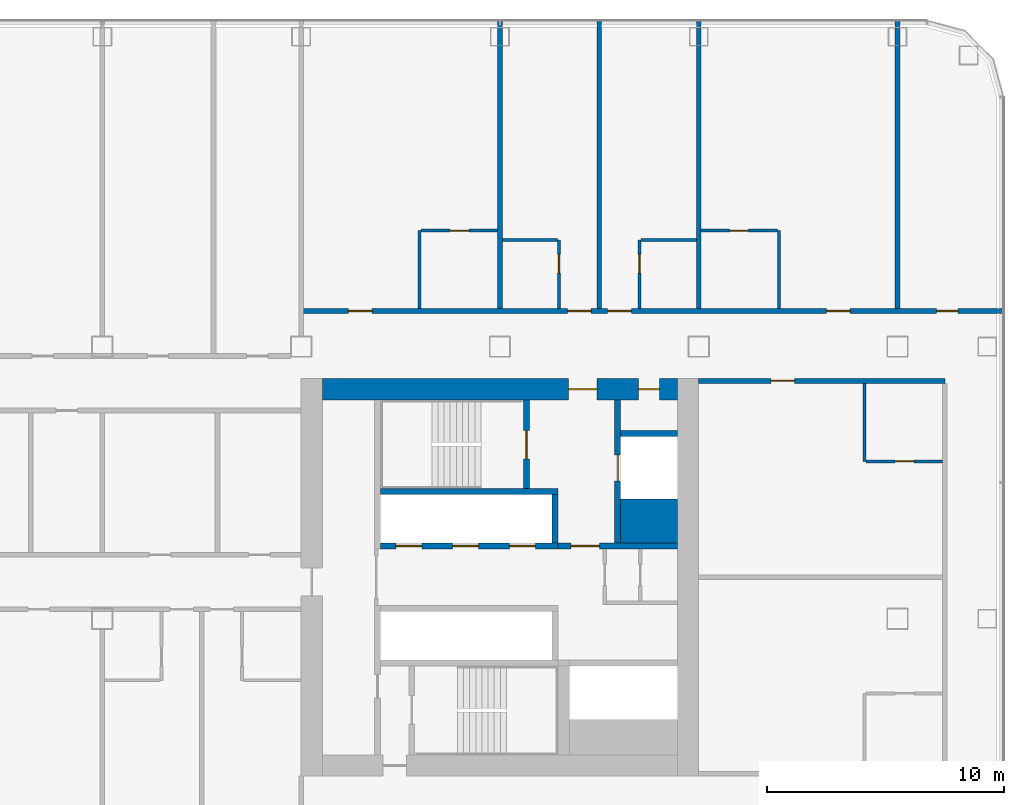
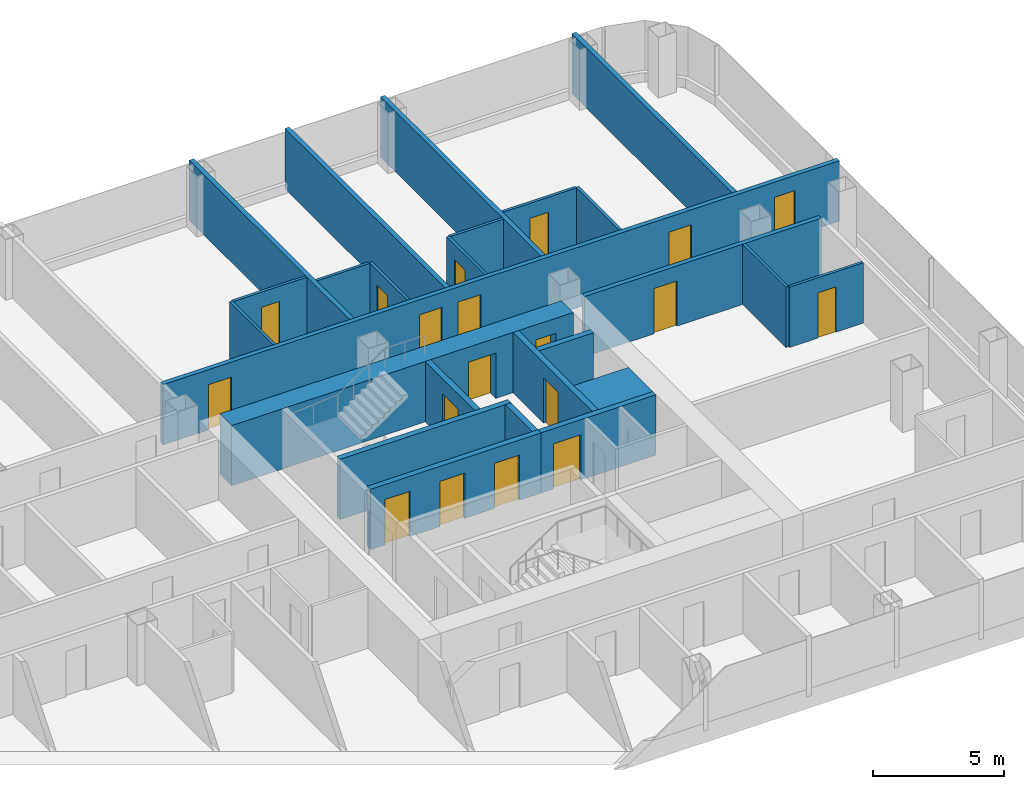
# One storey, part 20 of 29: 25 walls, 19 doors, 19 openings.
"""IFC4 building model written with IfcOpenShell, lengths in metres."""

from ifc_helpers import new_model, si_unit, direction, frame, frame_2d, origin, place, context, subcontext, project, spatial, rectangle, extrude, material, layer, layer_set, type_object, element, fill, save


model = new_model("IFC4")

# Units and contexts
model_context = context("Model", 3, precision=1e-05, world=origin(), true_north=direction((0.0, 1.0)))
body_context = subcontext(model_context, "Body", "Model", "MODEL_VIEW")
ifc_project = project(units=[si_unit("LENGTHUNIT", "METRE"), si_unit("AREAUNIT", "SQUARE_METRE"), si_unit("VOLUMEUNIT", "CUBIC_METRE"), si_unit("PLANEANGLEUNIT", "RADIAN"), si_unit("MASSUNIT", "GRAM", prefix="KILO")], contexts=[model_context])

# Site, building, storey
site_placement = place(None, origin())
site = spatial("IfcSite", under=ifc_project, at=site_placement, CompositionType="ELEMENT")
building_placement = place(site_placement, origin())
building = spatial("IfcBuilding", under=site, at=building_placement, Name="Hakoniwa Tower and Hamabe Station Hall", CompositionType="ELEMENT")
storey_placement = place(building_placement, frame((0.0, 0.0, 97.800048828125)))
storey = spatial("IfcBuildingStorey", under=building, at=storey_placement, Name="L27", CompositionType="ELEMENT", Elevation=97.800048828125)

# Wall, opening, door
ifc_material_1 = material(Name="Gypsum board partition", Category="gypsum")
ifc_layer_1 = layer(ifc_material_1, 0.125)
ifc_layer_set_1 = layer_set([ifc_layer_1], Name="Bathroom Partition 125")
wall_type_1 = type_object("IfcWallType", Name="Bathroom Partition 125", PredefinedType="PARTITIONING", material=ifc_layer_set_1)
wall_1_placement = place(storey_placement, frame((40.66259765625, 4.89990234375, 0.0), z_axis=(0.0, 0.0, 1.0), x_axis=(1.0, 0.0, 0.0)))
wall_1 = element("IfcWall", 1, at=wall_1_placement, inside=storey, type_object=wall_type_1, Name="GW-L27-017", PredefinedType="PARTITIONING", context=body_context, shape_type="SweptSolid", body=[
    extrude(rectangle(XDim=3.2373046875, YDim=0.125, at=frame_2d((1.61865234375, 0.0))), origin(), (0.0, 0.0, 1.0), 2.800048828125),
])
opening_1_placement = place(wall_1_placement, frame((1.237548828125, 0.0, 0.0)))
opening_1 = element("IfcOpeningElement", 2, at=opening_1_placement, cuts=wall_1, Name="Opening GD-G2C1-32", PredefinedType="OPENING", context=body_context, shape_type="SweptSolid", body=[
    extrude(rectangle(XDim=0.800048828125, YDim=2.10009765625, at=frame_2d((0.39990234375, 1.050048828125))), frame((0.0, 0.072509765625, 0.0), z_axis=(0.0, -1.0, 0.0), x_axis=(1.0, 0.0, 0.0)), (0.0, 0.0, 1.0), 0.14501953125),
])
ifc_material_2 = material(Name="Timber door leaf", Category="wood")
door_type_1 = type_object("IfcDoorType", Name="Bathroom Door 800", OperationType="SINGLE_SWING_LEFT", PredefinedType="DOOR", material=ifc_material_2)
door_1_placement = place(opening_1_placement, origin())
door_1 = element("IfcDoor", 3, at=door_1_placement, inside=storey, type_object=door_type_1, Name="Door GD-G2C1-32", OperationType="SINGLE_SWING_RIGHT", OverallHeight=2.10009765625, OverallWidth=0.800048828125, PredefinedType="DOOR", context=body_context, shape_type="SweptSolid", body=[
    extrude(rectangle(XDim=0.800048828125, YDim=2.10009765625, at=frame_2d((0.39990234375, 1.050048828125))), frame((0.0, 0.02490234375, 0.0), z_axis=(0.0, -1.0, 0.0), x_axis=(1.0, 0.0, 0.0)), (0.0, 0.0, 1.0), 0.050048828125),
])
fill(opening_1, door_1)

# Walls
for number, where, z_axis, x_axis, name in (
    (4, (25.300048828125, 14.25, 0.0), (0.0, 0.0, 1.0), (1.0, 0.0, 0.0), "GW-L27-031"),
    (5, (31.16259765625, 14.25, 0.0), (0.0, 0.0, 1.0), (1.0, 0.0, 0.0), "GW-L27-032"),
):
    element("IfcWall", number, at=place(storey_placement, frame(where, z_axis=z_axis, x_axis=x_axis)), inside=storey, type_object=wall_type_1, Name=name, PredefinedType="PARTITIONING", context=body_context, shape_type="SweptSolid", body=[
        extrude(rectangle(XDim=2.33740234375, YDim=0.125, at=frame_2d((1.168701171875, 0.0))), origin(), (0.0, 0.0, 1.0), 2.800048828125),
    ])

# Wall, opening, door
wall_2_placement = place(storey_placement, frame((21.862548828125, 14.64990234375, 0.0), z_axis=(0.0, 0.0, 1.0), x_axis=(1.0, 0.0, 0.0)))
wall_2 = element("IfcWall", 6, at=wall_2_placement, inside=storey, type_object=wall_type_1, Name="GW-L27-034", PredefinedType="PARTITIONING", context=body_context, shape_type="SweptSolid", body=[
    extrude(rectangle(XDim=3.237548828125, YDim=0.125, at=frame_2d((1.61865234375, 0.0))), origin(), (0.0, 0.0, 1.0), 2.800048828125),
])
opening_2_placement = place(wall_2_placement, frame((1.237548828125, 0.0, 0.0)))
opening_2 = element("IfcOpeningElement", 7, at=opening_2_placement, cuts=wall_2, Name="Opening GD-G2C1-59", PredefinedType="OPENING", context=body_context, shape_type="SweptSolid", body=[
    extrude(rectangle(XDim=0.800048828125, YDim=2.10009765625, at=frame_2d((0.39990234375, 1.050048828125))), frame((0.0, 0.072509765625, 0.0), z_axis=(0.0, -1.0, 0.0), x_axis=(1.0, 0.0, 0.0)), (0.0, 0.0, 1.0), 0.14501953125),
])
door_2_placement = place(opening_2_placement, origin())
door_2 = element("IfcDoor", 8, at=door_2_placement, inside=storey, type_object=door_type_1, Name="Door GD-G2C1-59", OperationType="SINGLE_SWING_RIGHT", OverallHeight=2.10009765625, OverallWidth=0.800048828125, PredefinedType="DOOR", context=body_context, shape_type="SweptSolid", body=[
    extrude(rectangle(XDim=0.800048828125, YDim=2.10009765625, at=frame_2d((0.39990234375, 1.050048828125))), frame((0.0, 0.02490234375, 0.0), z_axis=(0.0, -1.0, 0.0), x_axis=(1.0, 0.0, 0.0)), (0.0, 0.0, 1.0), 0.050048828125),
])
fill(opening_2, door_2)

wall_3_placement = place(storey_placement, frame((33.699951171875, 14.64990234375, 0.0), z_axis=(0.0, 0.0, 1.0), x_axis=(1.0, 0.0, 0.0)))
wall_3 = element("IfcWall", 9, at=wall_3_placement, inside=storey, type_object=wall_type_1, Name="GW-L27-035", PredefinedType="PARTITIONING", context=body_context, shape_type="SweptSolid", body=[
    extrude(rectangle(XDim=3.237548828125, YDim=0.125, at=frame_2d((1.61865234375, 0.0))), origin(), (0.0, 0.0, 1.0), 2.800048828125),
])
opening_3_placement = place(wall_3_placement, frame((1.199951171875, 0.0, 0.0)))
opening_3 = element("IfcOpeningElement", 10, at=opening_3_placement, cuts=wall_3, Name="Opening GD-G2C1-60", PredefinedType="OPENING", context=body_context, shape_type="SweptSolid", body=[
    extrude(rectangle(XDim=0.800048828125, YDim=2.10009765625, at=frame_2d((0.39990234375, 1.050048828125))), frame((0.0, 0.072509765625, 0.0), z_axis=(0.0, -1.0, 0.0), x_axis=(1.0, 0.0, 0.0)), (0.0, 0.0, 1.0), 0.14501953125),
])
door_3_placement = place(opening_3_placement, origin())
door_3 = element("IfcDoor", 11, at=door_3_placement, inside=storey, type_object=door_type_1, Name="Door GD-G2C1-60", OperationType="SINGLE_SWING_RIGHT", OverallHeight=2.10009765625, OverallWidth=0.800048828125, PredefinedType="DOOR", context=body_context, shape_type="SweptSolid", body=[
    extrude(rectangle(XDim=0.800048828125, YDim=2.10009765625, at=frame_2d((0.39990234375, 1.050048828125))), frame((0.0, 0.02490234375, 0.0), z_axis=(0.0, -1.0, 0.0), x_axis=(1.0, 0.0, 0.0)), (0.0, 0.0, 1.0), 0.050048828125),
])
fill(opening_3, door_3)

# Wall
wall_4_placement = place(storey_placement, frame((21.800048828125, 11.35009765625, 0.0), z_axis=(0.0, 0.0, 1.0), x_axis=(0.0, 1.0, 0.0)))
element("IfcWall", 12, at=wall_4_placement, inside=storey, type_object=wall_type_1, Name="GW-L27-087", PredefinedType="PARTITIONING", context=body_context, shape_type="SweptSolid", body=[
    extrude(rectangle(XDim=3.2998046875, YDim=0.125, at=frame_2d((1.64990234375, 0.0))), origin(), (0.0, 0.0, 1.0), 2.800048828125),
])

# Wall, opening, door
wall_5_placement = place(storey_placement, frame((27.699951171875, 11.35009765625, 0.0), z_axis=(0.0, 0.0, 1.0), x_axis=(0.0, 1.0, 0.0)))
wall_5 = element("IfcWall", 13, at=wall_5_placement, inside=storey, type_object=wall_type_1, Name="GW-L27-091", PredefinedType="PARTITIONING", context=body_context, shape_type="SweptSolid", body=[
    extrude(rectangle(XDim=2.89990234375, YDim=0.125, at=frame_2d((1.449951171875, 0.0))), origin(), (0.0, 0.0, 1.0), 2.800048828125),
])
opening_4_placement = place(wall_5_placement, frame((1.5, 0.0, 0.0)))
opening_4 = element("IfcOpeningElement", 14, at=opening_4_placement, cuts=wall_5, Name="Opening GD-G2C1-72", PredefinedType="OPENING", context=body_context, shape_type="SweptSolid", body=[
    extrude(rectangle(XDim=0.800048828125, YDim=2.10009765625, at=frame_2d((0.39990234375, 1.050048828125))), frame((0.0, 0.072509765625, 0.0), z_axis=(0.0, -1.0, 0.0), x_axis=(1.0, 0.0, 0.0)), (0.0, 0.0, 1.0), 0.14501953125),
])
door_4_placement = place(opening_4_placement, origin())
door_4 = element("IfcDoor", 15, at=door_4_placement, inside=storey, type_object=door_type_1, Name="Door GD-G2C1-72", OperationType="SINGLE_SWING_LEFT", OverallHeight=2.10009765625, OverallWidth=0.800048828125, PredefinedType="DOOR", context=body_context, shape_type="SweptSolid", body=[
    extrude(rectangle(XDim=0.800048828125, YDim=2.10009765625, at=frame_2d((0.39990234375, 1.050048828125))), frame((0.0, 0.02490234375, 0.0), z_axis=(0.0, -1.0, 0.0), x_axis=(1.0, 0.0, 0.0)), (0.0, 0.0, 1.0), 0.050048828125),
])
fill(opening_4, door_4)

wall_6_placement = place(storey_placement, frame((31.10009765625, 11.35009765625, 0.0), z_axis=(0.0, 0.0, 1.0), x_axis=(0.0, 1.0, 0.0)))
wall_6 = element("IfcWall", 16, at=wall_6_placement, inside=storey, type_object=wall_type_1, Name="GW-L27-094", PredefinedType="PARTITIONING", context=body_context, shape_type="SweptSolid", body=[
    extrude(rectangle(XDim=2.89990234375, YDim=0.125, at=frame_2d((1.449951171875, 0.0))), origin(), (0.0, 0.0, 1.0), 2.800048828125),
])
opening_5_placement = place(wall_6_placement, frame((1.5, 0.0, 0.0)))
opening_5 = element("IfcOpeningElement", 17, at=opening_5_placement, cuts=wall_6, Name="Opening GD-G2C1-73", PredefinedType="OPENING", context=body_context, shape_type="SweptSolid", body=[
    extrude(rectangle(XDim=0.800048828125, YDim=2.10009765625, at=frame_2d((0.39990234375, 1.050048828125))), frame((0.0, 0.072509765625, 0.0), z_axis=(0.0, -1.0, 0.0), x_axis=(1.0, 0.0, 0.0)), (0.0, 0.0, 1.0), 0.14501953125),
])
door_5_placement = place(opening_5_placement, origin())
door_5 = element("IfcDoor", 18, at=door_5_placement, inside=storey, type_object=door_type_1, Name="Door GD-G2C1-73", OperationType="SINGLE_SWING_RIGHT", OverallHeight=2.10009765625, OverallWidth=0.800048828125, PredefinedType="DOOR", context=body_context, shape_type="SweptSolid", body=[
    extrude(rectangle(XDim=0.800048828125, YDim=2.10009765625, at=frame_2d((0.39990234375, 1.050048828125))), frame((0.0, 0.02490234375, 0.0), z_axis=(0.0, -1.0, 0.0), x_axis=(1.0, 0.0, 0.0)), (0.0, 0.0, 1.0), 0.050048828125),
])
fill(opening_5, door_5)

# Walls
wall_7_placement = place(storey_placement, frame((37.0, 11.35009765625, 0.0), z_axis=(0.0, 0.0, 1.0), x_axis=(0.0, 1.0, 0.0)))
element("IfcWall", 19, at=wall_7_placement, inside=storey, type_object=wall_type_1, Name="GW-L27-097", PredefinedType="PARTITIONING", context=body_context, shape_type="SweptSolid", body=[
    extrude(rectangle(XDim=3.2998046875, YDim=0.125, at=frame_2d((1.64990234375, 0.0))), origin(), (0.0, 0.0, 1.0), 2.800048828125),
])
wall_8_placement = place(storey_placement, frame((40.60009765625, 4.89990234375, 0.0), z_axis=(0.0, 0.0, 1.0), x_axis=(0.0, 1.0, 0.0)))
element("IfcWall", 20, at=wall_8_placement, inside=storey, type_object=wall_type_1, Name="GW-L27-100", PredefinedType="PARTITIONING", context=body_context, shape_type="SweptSolid", body=[
    extrude(rectangle(XDim=3.300048828125, YDim=0.125, at=frame_2d((1.64990234375, 0.0))), origin(), (0.0, 0.0, 1.0), 2.800048828125),
])

# Wall, openings, doors
ifc_material_3 = material(Name="Concrete C72", Category="concrete")
ifc_layer_2 = layer(ifc_material_3, 0.89990234375)
ifc_layer_set_2 = layer_set([ifc_layer_2], Name="CORE WALL 900 C72")
wall_type_2 = type_object("IfcWallType", Name="CORE WALL 900 C72", PredefinedType="SHEAR", material=ifc_layer_set_2)
wall_9_placement = place(storey_placement, frame((17.699951171875, 7.949951171875, 0.0), z_axis=(0.0, 0.0, 1.0), x_axis=(1.0, 0.0, 0.0)))
wall_9 = element("IfcWall", 21, at=wall_9_placement, inside=storey, type_object=wall_type_2, Name="Core wall NORTH east", PredefinedType="SHEAR", context=body_context, shape_type="SweptSolid", body=[
    extrude(rectangle(XDim=15.0, YDim=0.89990234375, at=frame_2d((7.5, 0.0))), origin(), (0.0, 0.0, 1.0), 2.800048828125),
])
opening_6_placement = place(wall_9_placement, frame((10.39990234375, 0.0, 0.0)))
opening_6 = element("IfcOpeningElement", 22, at=opening_6_placement, cuts=wall_9, Name="Opening CD-E-FN1-12", PredefinedType="OPENING", context=body_context, shape_type="SweptSolid", body=[
    extrude(rectangle(XDim=1.199951171875, YDim=2.10009765625, at=frame_2d((0.60009765625, 1.050048828125))), frame((0.0, 0.4599609375, 0.0), z_axis=(0.0, -1.0, 0.0), x_axis=(1.0, 0.0, 0.0)), (0.0, 0.0, 1.0), 0.919921875),
])
opening_7_placement = place(wall_9_placement, frame((13.35009765625, 0.0, 0.0)))
opening_7 = element("IfcOpeningElement", 23, at=opening_7_placement, cuts=wall_9, Name="Opening CD-E-FN2-9", PredefinedType="OPENING", context=body_context, shape_type="SweptSolid", body=[
    extrude(rectangle(XDim=0.89990234375, YDim=2.10009765625, at=frame_2d((0.449951171875, 1.050048828125))), frame((0.0, 0.4599609375, 0.0), z_axis=(0.0, -1.0, 0.0), x_axis=(1.0, 0.0, 0.0)), (0.0, 0.0, 1.0), 0.919921875),
])
ifc_material_4 = material(Name="Steel fire door", Category="steel")
door_type_2 = type_object("IfcDoorType", Name="CORE DOOR 1200 FD60", OperationType="DOUBLE_DOOR_SINGLE_SWING", PredefinedType="DOOR", material=ifc_material_4)
door_6_placement = place(opening_6_placement, origin())
door_6 = element("IfcDoor", 24, at=door_6_placement, inside=storey, type_object=door_type_2, Name="Stair vestibule door to the fire-fighting lobby", OperationType="DOUBLE_DOOR_SINGLE_SWING", OverallHeight=2.10009765625, OverallWidth=1.199951171875, PredefinedType="DOOR", context=body_context, shape_type="SweptSolid", body=[
    extrude(rectangle(XDim=1.199951171875, YDim=2.10009765625, at=frame_2d((0.60009765625, 1.050048828125))), frame((0.0, 0.02490234375, 0.0), z_axis=(0.0, -1.0, 0.0), x_axis=(1.0, 0.0, 0.0)), (0.0, 0.0, 1.0), 0.050048828125),
])
fill(opening_6, door_6)
ifc_material_5 = material(Name="Steel fire door", Category="steel")
door_type_3 = type_object("IfcDoorType", Name="CORE DOOR 900 FD30", OperationType="NOTDEFINED", PredefinedType="DOOR", material=ifc_material_5)
door_7_placement = place(opening_7_placement, origin())
door_7 = element("IfcDoor", 25, at=door_7_placement, inside=storey, type_object=door_type_3, Name="Riser access door", OperationType="SINGLE_SWING_RIGHT", OverallHeight=2.10009765625, OverallWidth=0.89990234375, PredefinedType="DOOR", context=body_context, shape_type="SweptSolid", body=[
    extrude(rectangle(XDim=0.89990234375, YDim=2.10009765625, at=frame_2d((0.449951171875, 1.050048828125))), frame((0.0, 0.02490234375, 0.0), z_axis=(0.0, -1.0, 0.0), x_axis=(1.0, 0.0, 0.0)), (0.0, 0.0, 1.0), 0.050048828125),
])
fill(opening_7, door_7)

# Wall
ifc_material_6 = material(Name="Concrete C72", Category="concrete")
ifc_layer_3 = layer(ifc_material_6, 1.85009765625)
ifc_layer_set_3 = layer_set([ifc_layer_3], Name="CORE WEB WALL 1850 C72")
wall_type_3 = type_object("IfcWallType", Name="CORE WEB WALL 1850 C72", PredefinedType="SHEAR", material=ifc_layer_set_3)
wall_10_placement = place(storey_placement, frame((30.300048828125, 2.375, 0.0), z_axis=(0.0, 0.0, 1.0), x_axis=(1.0, 0.0, 0.0)))
element("IfcWall", 26, at=wall_10_placement, inside=storey, type_object=wall_type_3, Name="Core wall CA east", PredefinedType="SHEAR", context=body_context, shape_type="SweptSolid", body=[
    extrude(rectangle(XDim=2.39990234375, YDim=1.85009765625, at=frame_2d((1.199951171875, 0.0))), origin(), (0.0, 0.0, 1.0), 2.800048828125),
])

# Wall, openings, doors
ifc_material_7 = material(Name="Concrete C72", Category="concrete")
ifc_layer_4 = layer(ifc_material_7, 0.25)
ifc_layer_set_4 = layer_set([ifc_layer_4], Name="CORE WEB WALL 250 C72")
wall_type_4 = type_object("IfcWallType", Name="CORE WEB WALL 250 C72", PredefinedType="SHEAR", material=ifc_layer_set_4)
wall_11_placement = place(storey_placement, frame((20.14990234375, 1.324951171875, 0.0), z_axis=(0.0, 0.0, 1.0), x_axis=(1.0, 0.0, 0.0)))
wall_11 = element("IfcWall", 27, at=wall_11_placement, inside=storey, type_object=wall_type_4, Name="Core wall NF east", PredefinedType="SHEAR", context=body_context, shape_type="SweptSolid", body=[
    extrude(rectangle(XDim=7.5, YDim=0.25, at=frame_2d((3.75, 0.0))), origin(), (0.0, 0.0, 1.0), 2.800048828125),
])
opening_8_placement = place(wall_11_placement, frame((0.64990234375, 0.0, 0.0)))
opening_8 = element("IfcOpeningElement", 28, at=opening_8_placement, cuts=wall_11, Name="Opening LD-LR4", PredefinedType="OPENING", context=body_context, shape_type="SweptSolid", body=[
    extrude(rectangle(XDim=1.10009765625, YDim=2.10009765625, at=frame_2d((0.550048828125, 1.050048828125))), frame((0.0, 0.135009765625, 0.0), z_axis=(0.0, -1.0, 0.0), x_axis=(1.0, 0.0, 0.0)), (0.0, 0.0, 1.0), 0.27001953125),
])
opening_9_placement = place(wall_11_placement, frame((3.050048828125, 0.0, 0.0)))
opening_9 = element("IfcOpeningElement", 29, at=opening_9_placement, cuts=wall_11, Name="Opening LD-LR5", PredefinedType="OPENING", context=body_context, shape_type="SweptSolid", body=[
    extrude(rectangle(XDim=1.10009765625, YDim=2.10009765625, at=frame_2d((0.550048828125, 1.050048828125))), frame((0.0, 0.135009765625, 0.0), z_axis=(0.0, -1.0, 0.0), x_axis=(1.0, 0.0, 0.0)), (0.0, 0.0, 1.0), 0.27001953125),
])
opening_10_placement = place(wall_11_placement, frame((5.449951171875, 0.0, 0.0)))
opening_10 = element("IfcOpeningElement", 30, at=opening_10_placement, cuts=wall_11, Name="Opening LD-LR6", PredefinedType="OPENING", context=body_context, shape_type="SweptSolid", body=[
    extrude(rectangle(XDim=1.10009765625, YDim=2.10009765625, at=frame_2d((0.550048828125, 1.050048828125))), frame((0.0, 0.135009765625, 0.0), z_axis=(0.0, -1.0, 0.0), x_axis=(1.0, 0.0, 0.0)), (0.0, 0.0, 1.0), 0.27001953125),
])
ifc_material_8 = material(Name="Stainless steel SUS304", Category="steel")
door_type_4 = type_object("IfcDoorType", Name="LIFT LANDING DOOR 1100 FD60", OperationType="DOUBLE_DOOR_SLIDING", PredefinedType="DOOR", material=ifc_material_8)
door_8_placement = place(opening_8_placement, origin())
door_8 = element("IfcDoor", 31, at=door_8_placement, inside=storey, type_object=door_type_4, Name="Lift landing door LR4 L27", OperationType="DOUBLE_DOOR_SLIDING", OverallHeight=2.10009765625, OverallWidth=1.10009765625, PredefinedType="DOOR", context=body_context, shape_type="SweptSolid", body=[
    extrude(rectangle(XDim=1.10009765625, YDim=2.10009765625, at=frame_2d((0.550048828125, 1.050048828125))), frame((0.0, 0.02490234375, 0.0), z_axis=(0.0, -1.0, 0.0), x_axis=(1.0, 0.0, 0.0)), (0.0, 0.0, 1.0), 0.050048828125),
])
fill(opening_8, door_8)
door_9_placement = place(opening_9_placement, origin())
door_9 = element("IfcDoor", 32, at=door_9_placement, inside=storey, type_object=door_type_4, Name="Lift landing door LR5 L27", OperationType="DOUBLE_DOOR_SLIDING", OverallHeight=2.10009765625, OverallWidth=1.10009765625, PredefinedType="DOOR", context=body_context, shape_type="SweptSolid", body=[
    extrude(rectangle(XDim=1.10009765625, YDim=2.10009765625, at=frame_2d((0.550048828125, 1.050048828125))), frame((0.0, 0.02490234375, 0.0), z_axis=(0.0, -1.0, 0.0), x_axis=(1.0, 0.0, 0.0)), (0.0, 0.0, 1.0), 0.050048828125),
])
fill(opening_9, door_9)
door_10_placement = place(opening_10_placement, origin())
door_10 = element("IfcDoor", 33, at=door_10_placement, inside=storey, type_object=door_type_4, Name="Lift landing door LR6 L27", OperationType="DOUBLE_DOOR_SLIDING", OverallHeight=2.10009765625, OverallWidth=1.10009765625, PredefinedType="DOOR", context=body_context, shape_type="SweptSolid", body=[
    extrude(rectangle(XDim=1.10009765625, YDim=2.10009765625, at=frame_2d((0.550048828125, 1.050048828125))), frame((0.0, 0.02490234375, 0.0), z_axis=(0.0, -1.0, 0.0), x_axis=(1.0, 0.0, 0.0)), (0.0, 0.0, 1.0), 0.050048828125),
])
fill(opening_10, door_10)

# Walls
wall_12_placement = place(storey_placement, frame((27.52490234375, 1.449951171875, 0.0), z_axis=(0.0, 0.0, 1.0), x_axis=(0.0, 1.0, 0.0)))
element("IfcWall", 34, at=wall_12_placement, inside=storey, type_object=wall_type_4, Name="Core wall NE east", PredefinedType="SHEAR", context=body_context, shape_type="SweptSolid", body=[
    extrude(rectangle(XDim=2.050048828125, YDim=0.25, at=frame_2d((1.02490234375, 0.0))), origin(), (0.0, 0.0, 1.0), 2.800048828125),
])
wall_13_placement = place(storey_placement, frame((20.14990234375, 3.625, 0.0), z_axis=(0.0, 0.0, 1.0), x_axis=(1.0, 0.0, 0.0)))
element("IfcWall", 35, at=wall_13_placement, inside=storey, type_object=wall_type_4, Name="Core wall NR east", PredefinedType="SHEAR", context=body_context, shape_type="SweptSolid", body=[
    extrude(rectangle(XDim=7.5, YDim=0.25, at=frame_2d((3.75, 0.0))), origin(), (0.0, 0.0, 1.0), 2.800048828125),
])

# Wall, opening, door
wall_14_placement = place(storey_placement, frame((26.324951171875, 3.75, 0.0), z_axis=(0.0, 0.0, 1.0), x_axis=(0.0, 1.0, 0.0)))
wall_14 = element("IfcWall", 36, at=wall_14_placement, inside=storey, type_object=wall_type_4, Name="Core wall NSE east", PredefinedType="SHEAR", context=body_context, shape_type="SweptSolid", body=[
    extrude(rectangle(XDim=3.75, YDim=0.25, at=frame_2d((1.875, 0.0))), origin(), (0.0, 0.0, 1.0), 2.800048828125),
])
opening_11_placement = place(wall_14_placement, frame((1.25, 0.0, 0.0)))
opening_11 = element("IfcOpeningElement", 37, at=opening_11_placement, cuts=wall_14, Name="Opening CD-E-SN-12", PredefinedType="OPENING", context=body_context, shape_type="SweptSolid", body=[
    extrude(rectangle(XDim=1.199951171875, YDim=2.10009765625, at=frame_2d((0.60009765625, 1.050048828125))), frame((0.0, 0.135009765625, 0.0), z_axis=(0.0, -1.0, 0.0), x_axis=(1.0, 0.0, 0.0)), (0.0, 0.0, 1.0), 0.27001953125),
])
door_11_placement = place(opening_11_placement, origin())
door_11 = element("IfcDoor", 38, at=door_11_placement, inside=storey, type_object=door_type_2, Name="Escape stair door", OperationType="DOUBLE_DOOR_SINGLE_SWING", OverallHeight=2.10009765625, OverallWidth=1.199951171875, PredefinedType="DOOR", context=body_context, shape_type="SweptSolid", body=[
    extrude(rectangle(XDim=1.199951171875, YDim=2.10009765625, at=frame_2d((0.60009765625, 1.050048828125))), frame((0.0, 0.02490234375, 0.0), z_axis=(0.0, -1.0, 0.0), x_axis=(1.0, 0.0, 0.0)), (0.0, 0.0, 1.0), 0.050048828125),
])
fill(opening_11, door_11)

wall_15_placement = place(storey_placement, frame((27.64990234375, 1.324951171875, 0.0), z_axis=(0.0, 0.0, 1.0), x_axis=(1.0, 0.0, 0.0)))
wall_15 = element("IfcWall", 39, at=wall_15_placement, inside=storey, type_object=wall_type_4, Name="Core wall ELN east", PredefinedType="SHEAR", context=body_context, shape_type="SweptSolid", body=[
    extrude(rectangle(XDim=5.050048828125, YDim=0.25, at=frame_2d((2.52490234375, 0.0))), origin(), (0.0, 0.0, 1.0), 2.800048828125),
])
opening_12_placement = place(wall_15_placement, frame((0.550048828125, 0.0, 0.0)))
opening_12 = element("IfcOpeningElement", 40, at=opening_12_placement, cuts=wall_15, Name="Opening CD-E-FL-12", PredefinedType="OPENING", context=body_context, shape_type="SweptSolid", body=[
    extrude(rectangle(XDim=1.199951171875, YDim=2.10009765625, at=frame_2d((0.60009765625, 1.050048828125))), frame((0.0, 0.135009765625, 0.0), z_axis=(0.0, -1.0, 0.0), x_axis=(1.0, 0.0, 0.0)), (0.0, 0.0, 1.0), 0.27001953125),
])
door_12_placement = place(opening_12_placement, origin())
door_12 = element("IfcDoor", 41, at=door_12_placement, inside=storey, type_object=door_type_2, Name="Stair vestibule door to the fire-fighting lobby", OperationType="DOUBLE_DOOR_SINGLE_SWING", OverallHeight=2.10009765625, OverallWidth=1.199951171875, PredefinedType="DOOR", context=body_context, shape_type="SweptSolid", body=[
    extrude(rectangle(XDim=1.199951171875, YDim=2.10009765625, at=frame_2d((0.60009765625, 1.050048828125))), frame((0.0, 0.02490234375, 0.0), z_axis=(0.0, -1.0, 0.0), x_axis=(1.0, 0.0, 0.0)), (0.0, 0.0, 1.0), 0.050048828125),
])
fill(opening_12, door_12)

wall_16_placement = place(storey_placement, frame((30.175048828125, 1.449951171875, 0.0), z_axis=(0.0, 0.0, 1.0), x_axis=(0.0, 1.0, 0.0)))
wall_16 = element("IfcWall", 42, at=wall_16_placement, inside=storey, type_object=wall_type_4, Name="Core wall FFF east", PredefinedType="SHEAR", context=body_context, shape_type="SweptSolid", body=[
    extrude(rectangle(XDim=6.050048828125, YDim=0.25, at=frame_2d((3.02490234375, 0.0))), origin(), (0.0, 0.0, 1.0), 2.800048828125),
])
opening_13_placement = place(wall_16_placement, frame((2.625, 0.0, 0.0)))
opening_13 = element("IfcOpeningElement", 43, at=opening_13_placement, cuts=wall_16, Name="Opening LD-FF2", PredefinedType="OPENING", context=body_context, shape_type="SweptSolid", body=[
    extrude(rectangle(XDim=1.10009765625, YDim=2.10009765625, at=frame_2d((0.550048828125, 1.050048828125))), frame((0.0, 0.135009765625, 0.0), z_axis=(0.0, -1.0, 0.0), x_axis=(1.0, 0.0, 0.0)), (0.0, 0.0, 1.0), 0.27001953125),
])
door_13_placement = place(opening_13_placement, origin())
door_13 = element("IfcDoor", 44, at=door_13_placement, inside=storey, type_object=door_type_4, Name="Lift landing door FF2 L27", OperationType="DOUBLE_DOOR_SLIDING", OverallHeight=2.10009765625, OverallWidth=1.10009765625, PredefinedType="DOOR", context=body_context, shape_type="SweptSolid", body=[
    extrude(rectangle(XDim=1.10009765625, YDim=2.10009765625, at=frame_2d((0.550048828125, 1.050048828125))), frame((0.0, 0.02490234375, 0.0), z_axis=(0.0, -1.0, 0.0), x_axis=(1.0, 0.0, 0.0)), (0.0, 0.0, 1.0), 0.050048828125),
])
fill(opening_13, door_13)

# Wall
wall_17_placement = place(storey_placement, frame((30.300048828125, 6.074951171875, 0.0), z_axis=(0.0, 0.0, 1.0), x_axis=(1.0, 0.0, 0.0)))
element("IfcWall", 45, at=wall_17_placement, inside=storey, type_object=wall_type_4, Name="Core wall C2 east", PredefinedType="SHEAR", context=body_context, shape_type="SweptSolid", body=[
    extrude(rectangle(XDim=2.39990234375, YDim=0.25, at=frame_2d((1.199951171875, 0.0))), origin(), (0.0, 0.0, 1.0), 2.800048828125),
])

# Wall, opening, door
ifc_material_9 = material(Name="Fire-rated gypsum board partition", Category="gypsum")
ifc_layer_5 = layer(ifc_material_9, 0.199951171875)
ifc_layer_set_5 = layer_set([ifc_layer_5], Name="Corridor Wall 200")
wall_type_5 = type_object("IfcWallType", Name="Corridor Wall 200", PredefinedType="PARTITIONING", material=ifc_layer_set_5)
wall_18_placement = place(storey_placement, frame((33.60009765625, 8.300048828125, 0.0), z_axis=(0.0, 0.0, 1.0), x_axis=(1.0, 0.0, 0.0)))
wall_18 = element("IfcWall", 46, at=wall_18_placement, inside=storey, type_object=wall_type_5, Name="GW-L27-020", PredefinedType="PARTITIONING", context=body_context, shape_type="SweptSolid", body=[
    extrude(rectangle(XDim=10.39990234375, YDim=0.199951171875, at=frame_2d((5.199951171875, 0.0))), origin(), (0.0, 0.0, 1.0), 2.800048828125),
])
opening_14_placement = place(wall_18_placement, frame((3.050048828125, 0.0, 0.0)))
opening_14 = element("IfcOpeningElement", 47, at=opening_14_placement, cuts=wall_18, Name="Opening GD-G2C1-38", PredefinedType="OPENING", context=body_context, shape_type="SweptSolid", body=[
    extrude(rectangle(XDim=1.0, YDim=2.10009765625, at=frame_2d((0.5, 1.050048828125))), frame((0.0, 0.10986328125, 0.0), z_axis=(0.0, -1.0, 0.0), x_axis=(1.0, 0.0, 0.0)), (0.0, 0.0, 1.0), 0.219970703125),
])
ifc_material_10 = material(Name="Timber door leaf", Category="wood")
door_type_5 = type_object("IfcDoorType", Name="Guest Entrance Door 1000", OperationType="SINGLE_SWING_LEFT", PredefinedType="DOOR", material=ifc_material_10)
door_14_placement = place(opening_14_placement, origin())
door_14 = element("IfcDoor", 48, at=door_14_placement, inside=storey, type_object=door_type_5, Name="Door GD-G2C1-38", OperationType="SINGLE_SWING_LEFT", OverallHeight=2.10009765625, OverallWidth=1.0, PredefinedType="DOOR", context=body_context, shape_type="SweptSolid", body=[
    extrude(rectangle(XDim=1.0, YDim=2.10009765625, at=frame_2d((0.5, 1.050048828125))), frame((0.0, 0.02490234375, 0.0), z_axis=(0.0, -1.0, 0.0), x_axis=(1.0, 0.0, 0.0)), (0.0, 0.0, 1.0), 0.050048828125),
])
fill(opening_14, door_14)

# Wall, openings, doors
wall_19_placement = place(storey_placement, frame((16.800048828125, 11.25, 0.0), z_axis=(0.0, 0.0, 1.0), x_axis=(1.0, 0.0, 0.0)))
wall_19 = element("IfcWall", 49, at=wall_19_placement, inside=storey, type_object=wall_type_5, Name="GW-L27-023", PredefinedType="PARTITIONING", context=body_context, shape_type="SweptSolid", body=[
    extrude(rectangle(XDim=29.699951171875, YDim=0.199951171875, at=frame_2d((14.85009765625, 0.0))), origin(), (0.0, 0.0, 1.0), 2.800048828125),
])
opening_15_placement = place(wall_19_placement, frame((2.0, 0.0, 0.0)))
opening_15 = element("IfcOpeningElement", 50, at=opening_15_placement, cuts=wall_19, Name="Opening GD-G2C1-52", PredefinedType="OPENING", context=body_context, shape_type="SweptSolid", body=[
    extrude(rectangle(XDim=1.0, YDim=2.10009765625, at=frame_2d((0.5, 1.050048828125))), frame((0.0, 0.10986328125, 0.0), z_axis=(0.0, -1.0, 0.0), x_axis=(1.0, 0.0, 0.0)), (0.0, 0.0, 1.0), 0.219970703125),
])
opening_16_placement = place(wall_19_placement, frame((11.25, 0.0, 0.0)))
opening_16 = element("IfcOpeningElement", 51, at=opening_16_placement, cuts=wall_19, Name="Opening GD-G2C1-53", PredefinedType="OPENING", context=body_context, shape_type="SweptSolid", body=[
    extrude(rectangle(XDim=1.0, YDim=2.10009765625, at=frame_2d((0.5, 1.050048828125))), frame((0.0, 0.10986328125, 0.0), z_axis=(0.0, -1.0, 0.0), x_axis=(1.0, 0.0, 0.0)), (0.0, 0.0, 1.0), 0.219970703125),
])
opening_17_placement = place(wall_19_placement, frame((12.949951171875, 0.0, 0.0)))
opening_17 = element("IfcOpeningElement", 52, at=opening_17_placement, cuts=wall_19, Name="Opening GD-G2C1-54", PredefinedType="OPENING", context=body_context, shape_type="SweptSolid", body=[
    extrude(rectangle(XDim=1.0, YDim=2.10009765625, at=frame_2d((0.5, 1.050048828125))), frame((0.0, 0.10986328125, 0.0), z_axis=(0.0, -1.0, 0.0), x_axis=(1.0, 0.0, 0.0)), (0.0, 0.0, 1.0), 0.219970703125),
])
opening_18_placement = place(wall_19_placement, frame((22.199951171875, 0.0, 0.0)))
opening_18 = element("IfcOpeningElement", 53, at=opening_18_placement, cuts=wall_19, Name="Opening GD-G2C1-55", PredefinedType="OPENING", context=body_context, shape_type="SweptSolid", body=[
    extrude(rectangle(XDim=1.0, YDim=2.10009765625, at=frame_2d((0.5, 1.050048828125))), frame((0.0, 0.10986328125, 0.0), z_axis=(0.0, -1.0, 0.0), x_axis=(1.0, 0.0, 0.0)), (0.0, 0.0, 1.0), 0.219970703125),
])
opening_19_placement = place(wall_19_placement, frame((26.85009765625, 0.0, 0.0)))
opening_19 = element("IfcOpeningElement", 54, at=opening_19_placement, cuts=wall_19, Name="Opening GD-G2C1-56", PredefinedType="OPENING", context=body_context, shape_type="SweptSolid", body=[
    extrude(rectangle(XDim=0.89990234375, YDim=2.10009765625, at=frame_2d((0.449951171875, 1.050048828125))), frame((0.0, 0.10986328125, 0.0), z_axis=(0.0, -1.0, 0.0), x_axis=(1.0, 0.0, 0.0)), (0.0, 0.0, 1.0), 0.219970703125),
])
door_15_placement = place(opening_15_placement, origin())
door_15 = element("IfcDoor", 55, at=door_15_placement, inside=storey, type_object=door_type_5, Name="Door GD-G2C1-52", OperationType="SINGLE_SWING_RIGHT", OverallHeight=2.10009765625, OverallWidth=1.0, PredefinedType="DOOR", context=body_context, shape_type="SweptSolid", body=[
    extrude(rectangle(XDim=1.0, YDim=2.10009765625, at=frame_2d((0.5, 1.050048828125))), frame((0.0, 0.02490234375, 0.0), z_axis=(0.0, -1.0, 0.0), x_axis=(1.0, 0.0, 0.0)), (0.0, 0.0, 1.0), 0.050048828125),
])
fill(opening_15, door_15)
door_16_placement = place(opening_16_placement, origin())
door_16 = element("IfcDoor", 56, at=door_16_placement, inside=storey, type_object=door_type_5, Name="Door GD-G2C1-53", OperationType="SINGLE_SWING_LEFT", OverallHeight=2.10009765625, OverallWidth=1.0, PredefinedType="DOOR", context=body_context, shape_type="SweptSolid", body=[
    extrude(rectangle(XDim=1.0, YDim=2.10009765625, at=frame_2d((0.5, 1.050048828125))), frame((0.0, 0.02490234375, 0.0), z_axis=(0.0, -1.0, 0.0), x_axis=(1.0, 0.0, 0.0)), (0.0, 0.0, 1.0), 0.050048828125),
])
fill(opening_16, door_16)
door_17_placement = place(opening_17_placement, origin())
door_17 = element("IfcDoor", 57, at=door_17_placement, inside=storey, type_object=door_type_5, Name="Door GD-G2C1-54", OperationType="SINGLE_SWING_RIGHT", OverallHeight=2.10009765625, OverallWidth=1.0, PredefinedType="DOOR", context=body_context, shape_type="SweptSolid", body=[
    extrude(rectangle(XDim=1.0, YDim=2.10009765625, at=frame_2d((0.5, 1.050048828125))), frame((0.0, 0.02490234375, 0.0), z_axis=(0.0, -1.0, 0.0), x_axis=(1.0, 0.0, 0.0)), (0.0, 0.0, 1.0), 0.050048828125),
])
fill(opening_17, door_17)
door_18_placement = place(opening_18_placement, origin())
door_18 = element("IfcDoor", 58, at=door_18_placement, inside=storey, type_object=door_type_5, Name="Door GD-G2C1-55", OperationType="SINGLE_SWING_LEFT", OverallHeight=2.10009765625, OverallWidth=1.0, PredefinedType="DOOR", context=body_context, shape_type="SweptSolid", body=[
    extrude(rectangle(XDim=1.0, YDim=2.10009765625, at=frame_2d((0.5, 1.050048828125))), frame((0.0, 0.02490234375, 0.0), z_axis=(0.0, -1.0, 0.0), x_axis=(1.0, 0.0, 0.0)), (0.0, 0.0, 1.0), 0.050048828125),
])
fill(opening_18, door_18)
ifc_material_11 = material(Name="Timber door leaf", Category="wood")
door_type_6 = type_object("IfcDoorType", Name="Service Door 900", OperationType="SINGLE_SWING_LEFT", PredefinedType="DOOR", material=ifc_material_11)
door_19_placement = place(opening_19_placement, origin())
door_19 = element("IfcDoor", 59, at=door_19_placement, inside=storey, type_object=door_type_6, Name="Door GD-G2C1-56", OperationType="SINGLE_SWING_RIGHT", OverallHeight=2.10009765625, OverallWidth=0.89990234375, PredefinedType="DOOR", context=body_context, shape_type="SweptSolid", body=[
    extrude(rectangle(XDim=0.89990234375, YDim=2.10009765625, at=frame_2d((0.449951171875, 1.050048828125))), frame((0.0, 0.02490234375, 0.0), z_axis=(0.0, -1.0, 0.0), x_axis=(1.0, 0.0, 0.0)), (0.0, 0.0, 1.0), 0.050048828125),
])
fill(opening_19, door_19)

# Walls
ifc_material_12 = material(Name="Fire-rated gypsum board partition", Category="gypsum")
ifc_layer_6 = layer(ifc_material_12, 0.199951171875)
ifc_layer_set_6 = layer_set([ifc_layer_6], Name="Party Wall 200")
wall_type_6 = type_object("IfcWallType", Name="Party Wall 200", PredefinedType="PARTITIONING", material=ifc_layer_set_6)
for number, where, z_axis, x_axis, name in (
    (60, (25.199951171875, 11.35009765625, 0.0), (0.0, 0.0, 1.0), (0.0, 1.0, 0.0), "GW-L27-090"),
    (61, (29.39990234375, 11.35009765625, 0.0), (0.0, 0.0, 1.0), (0.0, 1.0, 0.0), "GW-L27-092"),
    (62, (33.60009765625, 11.35009765625, 0.0), (0.0, 0.0, 1.0), (0.0, 1.0, 0.0), "GW-L27-096"),
    (63, (42.0, 11.35009765625, 0.0), (0.0, 0.0, 1.0), (0.0, 1.0, 0.0), "GW-L27-102"),
):
    element("IfcWall", number, at=place(storey_placement, frame(where, z_axis=z_axis, x_axis=x_axis)), inside=storey, type_object=wall_type_6, Name=name, PredefinedType="PARTITIONING", context=body_context, shape_type="SweptSolid", body=[
        extrude(rectangle(XDim=12.199951171875, YDim=0.199951171875, at=frame_2d((6.10009765625, 0.0))), origin(), (0.0, 0.0, 1.0), 2.800048828125),
    ])

save(model, "model.ifc")
